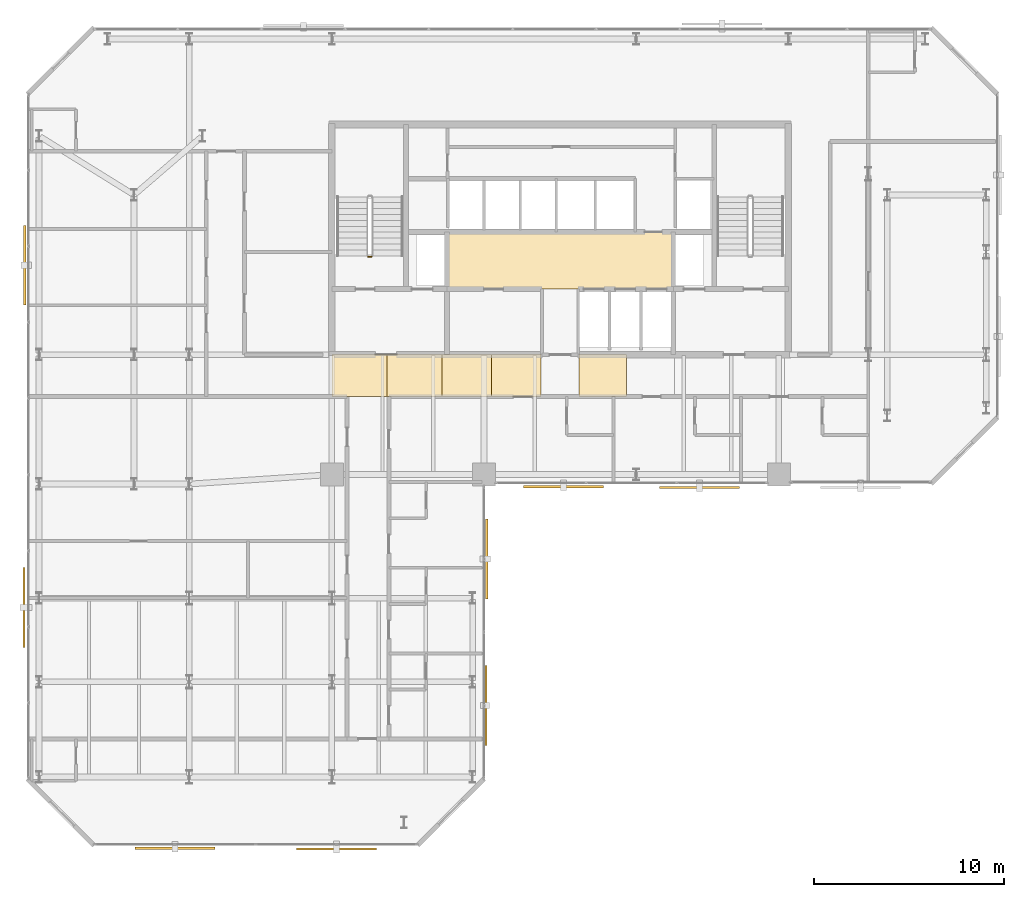
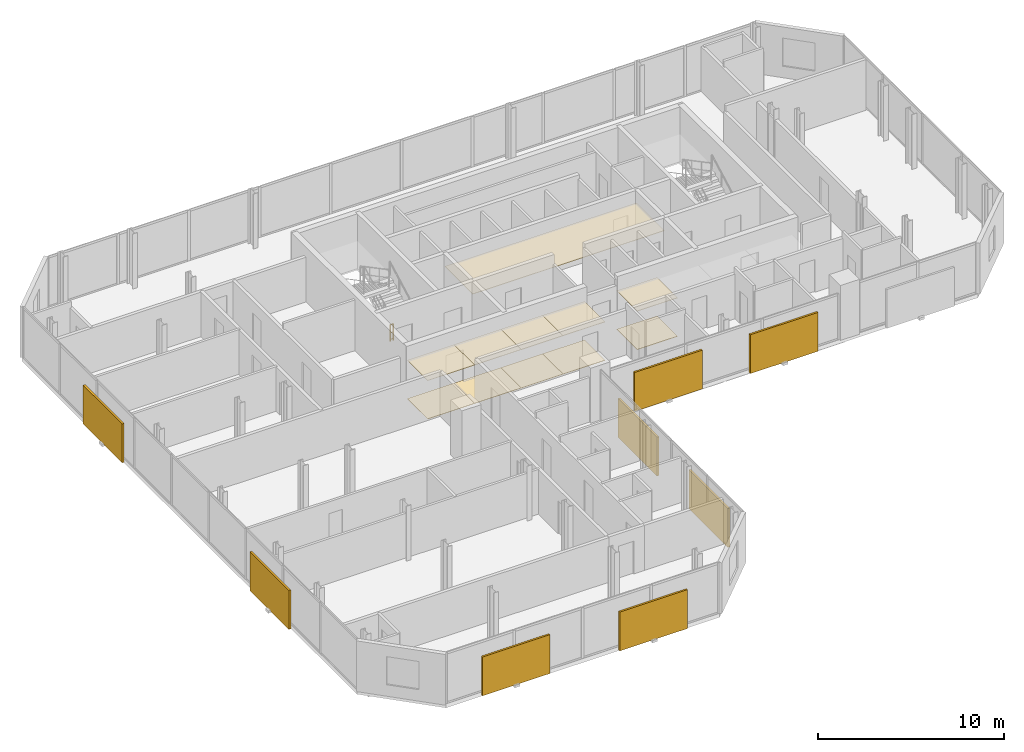
# One storey, part 31 of 32: 11 coverings, 8 shading devices, 1 railing.
"""IFC4 building model written with IfcOpenShell, lengths in metres."""

from ifc_helpers import new_model, si_unit, direction, frame, origin, origin_2d, place, context, subcontext, project, spatial, polyline, rectangle, circle, outline, extrude, material, layer, layer_set, type_object, element, save


model = new_model("IFC4")

# Units and contexts
model_context = context("Model", 3, precision=1e-05, world=origin(), true_north=direction((0.0, 1.0)))
body_context = subcontext(model_context, "Body", "Model", "MODEL_VIEW")
ifc_project = project(units=[si_unit("LENGTHUNIT", "METRE"), si_unit("AREAUNIT", "SQUARE_METRE"), si_unit("VOLUMEUNIT", "CUBIC_METRE"), si_unit("PLANEANGLEUNIT", "RADIAN"), si_unit("MASSUNIT", "GRAM", prefix="KILO")], contexts=[model_context])

# Site, building, storey
site_placement = place(None, origin())
site = spatial("IfcSite", under=ifc_project, at=site_placement, CompositionType="ELEMENT")
building_placement = place(site_placement, origin())
building = spatial("IfcBuilding", under=site, at=building_placement, Name="Catumbela Crestline Tower", CompositionType="ELEMENT")
storey_placement = place(building_placement, frame((0.0, 0.0, 136.8)))
storey = spatial("IfcBuildingStorey", under=building, at=storey_placement, Name="L35", CompositionType="ELEMENT", Elevation=136.8)

# Coverings
ifc_material_1 = material(Name="Mineral-fibre acoustic ceiling")
ifc_layer_1 = layer(ifc_material_1, 0.03, Name="Mineral-fibre acoustic ceiling")
ifc_layer_set_1 = layer_set([ifc_layer_1], Name="Mineral-fibre acoustic ceiling")
covering_type_1 = type_object("IfcCoveringType", Name="CC-AC", PredefinedType="CEILING", material=ifc_layer_set_1)
covering_1_placement = place(storey_placement, frame((0.0, 0.0, 2.65)))
element("IfcCovering", 1, at=covering_1_placement, inside=storey, type_object=covering_type_1, Name="L35 Lift Lobby Acoustic Ceiling", PredefinedType="CEILING", context=body_context, shape_type="SweptSolid", body=[
    extrude(outline(polyline([(22.05, 34.25), (33.95, 34.25), (33.95, 37.25), (22.05, 37.25), (22.05, 34.25)])), origin(), (0.0, 0.0, 1.0), 0.03),
])
covering_2_placement = place(storey_placement, frame((0.0, 0.0, 2.52)))
element("IfcCovering", 2, at=covering_2_placement, inside=storey, type_object=covering_type_1, Name="L35 Corridor Acoustic Ceiling Bay 1", PredefinedType="CEILING", context=body_context, shape_type="SweptSolid", body=[
    extrude(outline(polyline([(16.0, 28.6), (18.9, 28.6), (18.9, 30.8), (16.0, 30.8), (16.0, 28.6)])), origin(), (0.0, 0.0, 1.0), 0.03),
])
covering_3_placement = place(storey_placement, frame((0.0, 0.0, 2.52)))
element("IfcCovering", 3, at=covering_3_placement, inside=storey, type_object=covering_type_1, Name="L35 Corridor Acoustic Ceiling Bay 2", PredefinedType="CEILING", context=body_context, shape_type="SweptSolid", body=[
    extrude(outline(polyline([(18.9, 28.6), (21.8, 28.6), (21.8, 30.8), (18.9, 30.8), (18.9, 28.6)])), origin(), (0.0, 0.0, 1.0), 0.03),
])
covering_4_placement = place(storey_placement, frame((0.0, 0.0, 2.52)))
element("IfcCovering", 4, at=covering_4_placement, inside=storey, type_object=covering_type_1, Name="L35 Corridor Acoustic Ceiling Bay 3", PredefinedType="CEILING", context=body_context, shape_type="SweptSolid", body=[
    extrude(outline(polyline([(21.8, 28.6), (24.4, 28.6), (24.4, 30.8), (21.8, 30.8), (21.8, 28.6)])), origin(), (0.0, 0.0, 1.0), 0.03),
])
covering_5_placement = place(storey_placement, frame((0.0, 0.0, 2.52)))
element("IfcCovering", 5, at=covering_5_placement, inside=storey, type_object=covering_type_1, Name="L35 Corridor Acoustic Ceiling Bay 4", PredefinedType="CEILING", context=body_context, shape_type="SweptSolid", body=[
    extrude(outline(polyline([(24.4, 28.6), (27.0, 28.6), (27.0, 30.8), (24.4, 30.8), (24.4, 28.6)])), origin(), (0.0, 0.0, 1.0), 0.03),
])
covering_6_placement = place(storey_placement, frame((0.0, 0.0, 2.52)))
element("IfcCovering", 6, at=covering_6_placement, inside=storey, type_object=covering_type_1, Name="L35 Corridor Acoustic Ceiling Bay 5", PredefinedType="CEILING", context=body_context, shape_type="SweptSolid", body=[
    extrude(outline(polyline([(29.0, 28.6), (31.5, 28.6), (31.5, 30.8), (29.0, 30.8), (29.0, 28.6)])), origin(), (0.0, 0.0, 1.0), 0.03),
])
ifc_material_2 = material(Name="Angolan grey-ochre granite", Category="masonry")
ifc_layer_2 = layer(ifc_material_2, 0.025, Name="Angolan grey-ochre granite")
ifc_layer_set_2 = layer_set([ifc_layer_2], Name="Angolan grey-ochre granite")
covering_type_2 = type_object("IfcCoveringType", Name="CF-GR", PredefinedType="FLOORING", material=ifc_layer_set_2)
covering_7_placement = place(storey_placement, origin())
element("IfcCovering", 7, at=covering_7_placement, inside=storey, type_object=covering_type_2, Name="L35 Corridor Granite Flooring Bay 1", PredefinedType="FLOORING", context=body_context, shape_type="SweptSolid", body=[
    extrude(outline(polyline([(16.0, 28.6), (18.9, 28.6), (18.9, 30.8), (16.0, 30.8), (16.0, 28.6)])), origin(), (0.0, 0.0, 1.0), 0.025),
])
covering_8_placement = place(storey_placement, origin())
element("IfcCovering", 8, at=covering_8_placement, inside=storey, type_object=covering_type_2, Name="L35 Corridor Granite Flooring Bay 2", PredefinedType="FLOORING", context=body_context, shape_type="SweptSolid", body=[
    extrude(outline(polyline([(18.9, 28.6), (21.8, 28.6), (21.8, 30.8), (18.9, 30.8), (18.9, 28.6)])), origin(), (0.0, 0.0, 1.0), 0.025),
])
covering_9_placement = place(storey_placement, origin())
element("IfcCovering", 9, at=covering_9_placement, inside=storey, type_object=covering_type_2, Name="L35 Corridor Granite Flooring Bay 3", PredefinedType="FLOORING", context=body_context, shape_type="SweptSolid", body=[
    extrude(outline(polyline([(21.8, 28.6), (24.4, 28.6), (24.4, 30.8), (21.8, 30.8), (21.8, 28.6)])), origin(), (0.0, 0.0, 1.0), 0.025),
])
covering_10_placement = place(storey_placement, origin())
element("IfcCovering", 10, at=covering_10_placement, inside=storey, type_object=covering_type_2, Name="L35 Corridor Granite Flooring Bay 4", PredefinedType="FLOORING", context=body_context, shape_type="SweptSolid", body=[
    extrude(outline(polyline([(24.4, 28.6), (27.0, 28.6), (27.0, 30.8), (24.4, 30.8), (24.4, 28.6)])), origin(), (0.0, 0.0, 1.0), 0.025),
])
covering_11_placement = place(storey_placement, origin())
element("IfcCovering", 11, at=covering_11_placement, inside=storey, type_object=covering_type_2, Name="L35 Corridor Granite Flooring Bay 5", PredefinedType="FLOORING", context=body_context, shape_type="SweptSolid", body=[
    extrude(outline(polyline([(29.0, 28.6), (31.5, 28.6), (31.5, 30.8), (29.0, 30.8), (29.0, 28.6)])), origin(), (0.0, 0.0, 1.0), 0.025),
])

# Railing
ifc_material_3 = material(Name="Stainless steel EN 1.4401", Category="steel")
railing_type = type_object("IfcRailingType", Name="RG-1100", PredefinedType="GUARDRAIL", material=ifc_material_3)
railing_placement = place(storey_placement, frame((18.09, 35.95, 0.0)))
element("IfcRailing", 12, at=railing_placement, inside=storey, type_object=railing_type, Name="L35 ST-01 stair guard 4", PredefinedType="GUARDRAIL", context=body_context, shape_type="SweptSolid", body=[
    extrude(circle(Radius=0.024, at=origin_2d()), frame((0.0, 0.0, 1.076), z_axis=(-1.0, 0.0, 0.0), x_axis=(0.0, -1.0, 0.0)), (0.0, 0.0, 1.0), 0.18),
    extrude(circle(Radius=0.0156, at=origin_2d()), frame((0.0, 0.0, 0.55), z_axis=(-1.0, 0.0, 0.0), x_axis=(0.0, -1.0, 0.0)), (0.0, 0.0, 1.0), 0.18),
    extrude(circle(Radius=0.0156, at=origin_2d()), frame((0.0, 0.0, 0.12), z_axis=(-1.0, 0.0, 0.0), x_axis=(0.0, -1.0, 0.0)), (0.0, 0.0, 1.0), 0.18),
    extrude(circle(Radius=0.021, at=origin_2d()), origin(), (0.0, 0.0, 1.0), 1.052),
    extrude(circle(Radius=0.021, at=origin_2d()), frame((-0.18, 0.0, 0.0)), (0.0, 0.0, 1.0), 1.052),
])

# Shading devices
ifc_material_4 = material(Name="Extruded terracotta ceramic", Category="masonry")
shading_device_type_1 = type_object("IfcShadingDeviceType", Name="ST-180", PredefinedType="USERDEFINED", material=ifc_material_4)
shading_device_placement = place(storey_placement, frame((24.099, 12.35, -0.1), z_axis=(0.0, 0.0, 1.0), x_axis=(0.0, 1.0, 0.0)))
element("IfcShadingDevice", 13, at=shading_device_placement, inside=storey, type_object=shading_device_type_1, Name="L35 Perforated Terracotta Solar Screen 382 (180 mm)", ObjectType="SCREEN", PredefinedType="USERDEFINED", context=body_context, shape_type="SweptSolid", body=[
    extrude(rectangle(XDim=4.2, YDim=0.12, at=origin_2d()), origin(), (0.0, 0.0, 1.0), 2.55),
])
shading_device_type_2 = type_object("IfcShadingDeviceType", Name="ST-260", PredefinedType="USERDEFINED", material=ifc_material_4)
for number, where, z_axis, x_axis, name in (
    (14, (7.75, 4.857, -0.1), (0.0, 0.0, 1.0), (1.0, 0.0, 0.0), "L35 Perforated Terracotta Solar Screen 380 (260 mm)"),
    (15, (24.143, 20.05, -0.1), (0.0, 0.0, 1.0), (0.0, 1.0, 0.0), "L35 Perforated Terracotta Solar Screen 383 (260 mm)"),
    (16, (28.175, 23.857, -0.1), (0.0, 0.0, 1.0), (1.0, 0.0, 0.0), "L35 Perforated Terracotta Solar Screen 384 (260 mm)"),
    (17, (-0.143, 35.5, -0.1), (0.0, 0.0, 1.0), (0.0, -1.0, 0.0), "L35 Perforated Terracotta Solar Screen 391 (260 mm)"),
):
    element("IfcShadingDevice", number, at=place(storey_placement, frame(where, z_axis=z_axis, x_axis=x_axis)), inside=storey, type_object=shading_device_type_2, Name=name, ObjectType="SCREEN", PredefinedType="USERDEFINED", context=body_context, shape_type="SweptSolid", body=[
        extrude(rectangle(XDim=4.2, YDim=0.12, at=origin_2d()), origin(), (0.0, 0.0, 1.0), 2.55),
    ])
shading_device_type_3 = type_object("IfcShadingDeviceType", Name="ST-340", PredefinedType="USERDEFINED", material=ifc_material_4)
for number, where, z_axis, x_axis, name in (
    (18, (16.25, 4.813, -0.1), (0.0, 0.0, 1.0), (1.0, 0.0, 0.0), "L35 Perforated Terracotta Solar Screen 381 (340 mm)"),
    (19, (35.325, 23.813, -0.1), (0.0, 0.0, 1.0), (1.0, 0.0, 0.0), "L35 Perforated Terracotta Solar Screen 385 (340 mm)"),
    (20, (-0.187, 17.5, -0.1), (0.0, 0.0, 1.0), (0.0, -1.0, 0.0), "L35 Perforated Terracotta Solar Screen 392 (340 mm)"),
):
    element("IfcShadingDevice", number, at=place(storey_placement, frame(where, z_axis=z_axis, x_axis=x_axis)), inside=storey, type_object=shading_device_type_3, Name=name, ObjectType="SCREEN", PredefinedType="USERDEFINED", context=body_context, shape_type="SweptSolid", body=[
        extrude(rectangle(XDim=4.2, YDim=0.12, at=origin_2d()), origin(), (0.0, 0.0, 1.0), 2.55),
    ])

save(model, "model.ifc")
